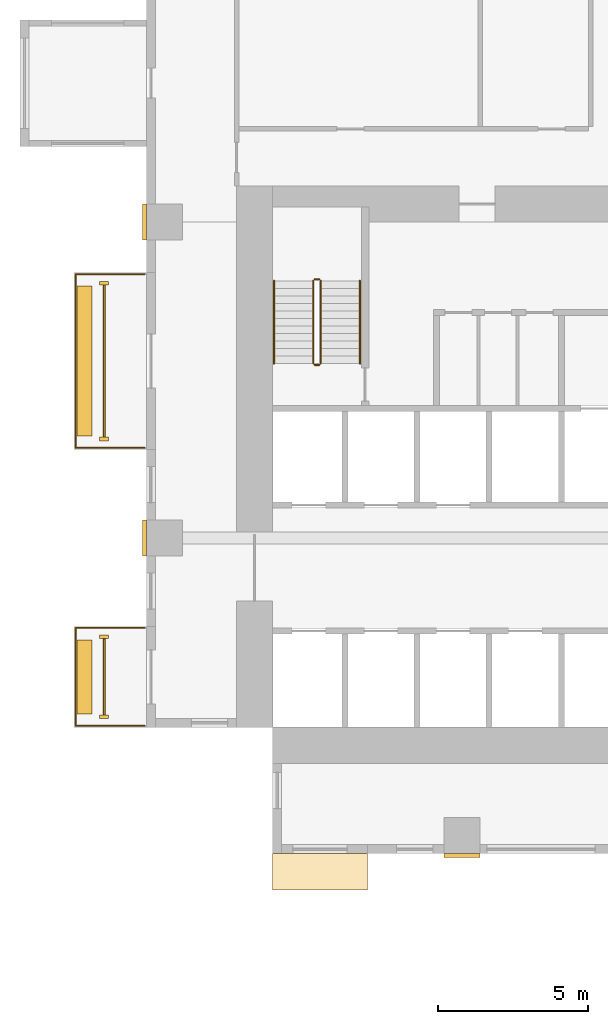
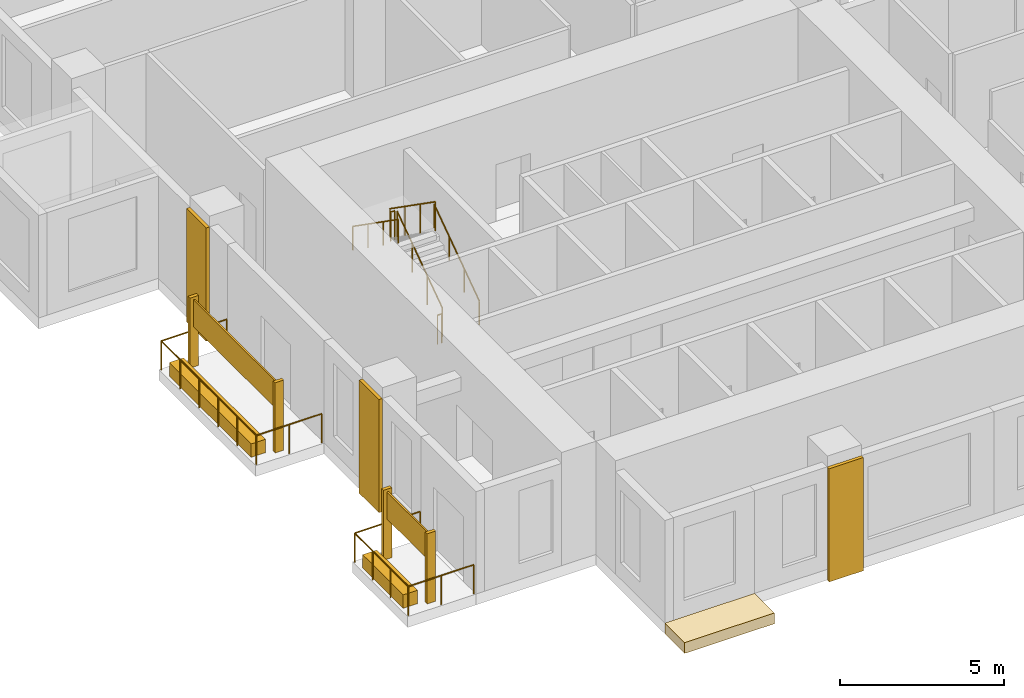
# One storey, part 11 of 15: 12 coverings, 8 railings.
"""IFC4 building model written with IfcOpenShell, lengths in metres."""

from ifc_helpers import new_model, si_unit, direction, frame, origin, origin_2d, place, context, subcontext, project, spatial, polyline, rectangle, circle, outline, extrude, source, transform, mapped, material, type_object, element, save


model = new_model("IFC4")

# Units and contexts
model_context = context("Model", 3, precision=1e-05, world=origin(), true_north=direction((0.0, 1.0)))
body_context = subcontext(model_context, "Body", "Model", "MODEL_VIEW")
ifc_project = project(units=[si_unit("LENGTHUNIT", "METRE"), si_unit("AREAUNIT", "SQUARE_METRE"), si_unit("VOLUMEUNIT", "CUBIC_METRE"), si_unit("PLANEANGLEUNIT", "RADIAN"), si_unit("MASSUNIT", "GRAM", prefix="KILO")], contexts=[model_context])

# Site, building, storey
site_placement = place(None, origin())
site = spatial("IfcSite", under=ifc_project, at=site_placement, CompositionType="ELEMENT")
building_placement = place(site_placement, origin())
building = spatial("IfcBuilding", under=site, at=building_placement, Name="Aurelian Terraces", CompositionType="ELEMENT")
storey_placement = place(building_placement, frame((0.0, 0.0, 61.5)))
storey = spatial("IfcBuildingStorey", under=building, at=storey_placement, Name="L12", CompositionType="ELEMENT", Elevation=61.5)

# Coverings
ifc_material_1 = material(Name="Terracotta roof tiles on membrane", Category="masonry")
covering_type_1 = type_object("IfcCoveringType", Name="Bay roof cover", PredefinedType="ROOFING", material=ifc_material_1)
covering_1_placement = place(storey_placement, frame((0.0, 0.0, -0.4)))
element("IfcCovering", 1, at=covering_1_placement, inside=storey, type_object=covering_type_1, Name="Bay roof L12 4.20_-1.20_7.35_0.00", PredefinedType="ROOFING", context=body_context, shape_type="SweptSolid", body=[
    extrude(outline(polyline([(7.35, 0.0), (7.35, -1.2), (4.2, -1.2), (4.2, 0.0), (7.35, 0.0)])), origin(), (0.0, 0.0, 1.0), 0.4),
])
ifc_material_2 = material(Name="Terracotta rainscreen cladding relief", Category="masonry")
covering_type_2 = type_object("IfcCoveringType", Name="FIN-TC", PredefinedType="CLADDING", material=ifc_material_2)
shared_shape_1 = source(origin(), body_context, "Body", "SweptSolid", [
    extrude(rectangle(XDim=0.3, YDim=0.12, at=origin_2d()), origin(), (0.0, 0.0, 1.0), 2.6),
])
for number, where, z_axis, x_axis, name in (
    (2, (-1.4, 18.97, 0.0), (0.0, 0.0, 1.0), (1.0, 0.0, 0.0), "FIN L12 L12-F14-39.1"),
    (3, (-1.4, 13.79, 0.0), (0.0, 0.0, 1.0), (1.0, 0.0, 0.0), "FIN L12 L12-F14-39.2"),
    (4, (-1.4, 7.21, 0.0), (0.0, 0.0, 1.0), (1.0, 0.0, 0.0), "FIN L12 L12-F14-41.1"),
    (5, (-1.4, 4.55, 0.0), (0.0, 0.0, 1.0), (1.0, 0.0, 0.0), "FIN L12 L12-F14-41.2"),
):
    element("IfcCovering", number, at=place(storey_placement, frame(where, z_axis=z_axis, x_axis=x_axis)), inside=storey, type_object=covering_type_2, Name=name, PredefinedType="CLADDING", context=body_context, shape_type="MappedRepresentation", body=[
        mapped(shared_shape_1, transform((0.0, 0.0, 0.0), scale=1.0)),
    ])
covering_type_3 = type_object("IfcCoveringType", Name="BAGUETTE-TC", PredefinedType="CLADDING", material=ifc_material_2)
shared_shape_2 = source(origin(), body_context, "Body", "SweptSolid", [
    extrude(rectangle(XDim=1.2, YDim=0.12, at=origin_2d()), origin(), (0.0, 0.0, 1.0), 4.2),
])
covering_2_placement = place(storey_placement, frame((10.5, -0.06, -0.4), z_axis=(0.0, 0.0, 1.0), x_axis=(1.0, 0.0, 0.0)))
element("IfcCovering", 6, at=covering_2_placement, inside=storey, type_object=covering_type_3, Name="BAGUETTE pier L12 1", PredefinedType="CLADDING", context=body_context, shape_type="MappedRepresentation", body=[
    mapped(shared_shape_2, transform((0.0, 0.0, 0.0), scale=1.0)),
])
shared_shape_3 = source(origin(), body_context, "Body", "SweptSolid", [
    extrude(rectangle(XDim=0.12, YDim=1.2, at=origin_2d()), origin(), (0.0, 0.0, 1.0), 4.2),
])
for number, where, z_axis, x_axis, name in (
    (7, (-0.06, 10.5, -0.4), (0.0, 0.0, 1.0), (1.0, 0.0, 0.0), "BAGUETTE pier L12 5"),
    (8, (-0.06, 21.0, -0.4), (0.0, 0.0, 1.0), (1.0, 0.0, 0.0), "BAGUETTE pier L12 9"),
):
    element("IfcCovering", number, at=place(storey_placement, frame(where, z_axis=z_axis, x_axis=x_axis)), inside=storey, type_object=covering_type_3, Name=name, PredefinedType="CLADDING", context=body_context, shape_type="MappedRepresentation", body=[
        mapped(shared_shape_3, transform((0.0, 0.0, 0.0), scale=1.0)),
    ])

# Railing
ifc_material_3 = material(Name="Anodised aluminium", Category="aluminium")
railing_type_1 = type_object("IfcRailingType", Name="GUARD-1100", PredefinedType="GUARDRAIL", material=ifc_material_3)
shared_shape_4 = source(origin(), body_context, "Body", "SweptSolid", [
    extrude(circle(Radius=0.024, at=origin_2d()), frame((0.0, 0.0, 1.076), z_axis=(-1.0, 0.0, 0.0), x_axis=(0.0, -1.0, 0.0)), (0.0, 0.0, 1.0), 2.3),
    extrude(circle(Radius=0.024, at=origin_2d()), frame((-2.3, 0.0, 1.076), z_axis=(0.0, -1.0, 0.0), x_axis=(1.0, 0.0, 0.0)), (0.0, 0.0, 1.0), 5.78),
    extrude(circle(Radius=0.024, at=origin_2d()), frame((-2.3, -5.78, 1.076), z_axis=(1.0, 0.0, 0.0), x_axis=(0.0, 1.0, 0.0)), (0.0, 0.0, 1.0), 2.3),
    extrude(circle(Radius=0.021, at=origin_2d()), origin(), (0.0, 0.0, 1.0), 1.052),
    extrude(circle(Radius=0.021, at=origin_2d()), frame((-1.15, 0.0, 0.0)), (0.0, 0.0, 1.0), 1.052),
    extrude(circle(Radius=0.021, at=origin_2d()), frame((-2.3, 0.0, 0.0)), (0.0, 0.0, 1.0), 1.052),
    extrude(circle(Radius=0.021, at=origin_2d()), frame((-2.3, -1.156, 0.0)), (0.0, 0.0, 1.0), 1.052),
    extrude(circle(Radius=0.021, at=origin_2d()), frame((-2.3, -2.312, 0.0)), (0.0, 0.0, 1.0), 1.052),
    extrude(circle(Radius=0.021, at=origin_2d()), frame((-2.3, -3.468, 0.0)), (0.0, 0.0, 1.0), 1.052),
    extrude(circle(Radius=0.021, at=origin_2d()), frame((-2.3, -4.624, 0.0)), (0.0, 0.0, 1.0), 1.052),
    extrude(circle(Radius=0.021, at=origin_2d()), frame((-2.3, -5.78, 0.0)), (0.0, 0.0, 1.0), 1.052),
    extrude(circle(Radius=0.021, at=origin_2d()), frame((-1.15, -5.78, 0.0)), (0.0, 0.0, 1.0), 1.052),
    extrude(circle(Radius=0.021, at=origin_2d()), frame((0.0, -5.78, 0.0)), (0.0, 0.0, 1.0), 1.052),
])
railing_1_placement = place(storey_placement, frame((-0.05, 19.27, 0.0)))
element("IfcRailing", 9, at=railing_1_placement, inside=storey, type_object=railing_type_1, Name="Balcony guard L12 F14.39", PredefinedType="GUARDRAIL", context=body_context, shape_type="MappedRepresentation", body=[
    mapped(shared_shape_4, transform((0.0, 0.0, 0.0), scale=1.0)),
])

# Coverings
ifc_material_4 = material(Name="Terracotta planter with planting soil", Category="masonry")
covering_type_4 = type_object("IfcCoveringType", Name="PLANTER-TROUGH", PredefinedType="USERDEFINED", material=ifc_material_4)
shared_shape_5 = source(origin(), body_context, "Body", "SweptSolid", [
    extrude(rectangle(XDim=0.5, YDim=4.98, at=origin_2d()), origin(), (0.0, 0.0, 1.0), 0.5),
])
covering_3_placement = place(storey_placement, frame((-2.05, 16.38, 0.0), z_axis=(0.0, 0.0, 1.0), x_axis=(1.0, 0.0, 0.0)))
element("IfcCovering", 10, at=covering_3_placement, inside=storey, type_object=covering_type_4, Name="PLANTER L12 L12-F14-39", ObjectType="PLANTER", PredefinedType="USERDEFINED", context=body_context, shape_type="MappedRepresentation", body=[
    mapped(shared_shape_5, transform((0.0, 0.0, 0.0), scale=1.0)),
])
ifc_material_5 = material(Name="Terracotta rainscreen cladding", Category="masonry")
covering_type_5 = type_object("IfcCoveringType", Name="SCREEN-TC", PredefinedType="CLADDING", material=ifc_material_5)
shared_shape_6 = source(origin(), body_context, "Body", "SweptSolid", [
    extrude(rectangle(XDim=0.06, YDim=5.06, at=origin_2d()), origin(), (0.0, 0.0, 1.0), 1.0),
])
covering_4_placement = place(storey_placement, frame((-1.4, 16.38, 1.5), z_axis=(0.0, 0.0, 1.0), x_axis=(1.0, 0.0, 0.0)))
element("IfcCovering", 11, at=covering_4_placement, inside=storey, type_object=covering_type_5, Name="SCREEN L12 L12-F14-39", PredefinedType="CLADDING", context=body_context, shape_type="MappedRepresentation", body=[
    mapped(shared_shape_6, transform((0.0, 0.0, 0.0), scale=1.0)),
])

# Railing
shared_shape_7 = source(origin(), body_context, "Body", "SweptSolid", [
    extrude(circle(Radius=0.024, at=origin_2d()), frame((0.0, 0.0, 1.076), z_axis=(-1.0, 0.0, 0.0), x_axis=(0.0, -1.0, 0.0)), (0.0, 0.0, 1.0), 2.3),
    extrude(circle(Radius=0.024, at=origin_2d()), frame((-2.3, 0.0, 1.076), z_axis=(0.0, -1.0, 0.0), x_axis=(1.0, 0.0, 0.0)), (0.0, 0.0, 1.0), 3.26),
    extrude(circle(Radius=0.024, at=origin_2d()), frame((-2.3, -3.26, 1.076), z_axis=(1.0, 0.0, 0.0), x_axis=(0.0, 1.0, 0.0)), (0.0, 0.0, 1.0), 2.3),
    extrude(circle(Radius=0.021, at=origin_2d()), origin(), (0.0, 0.0, 1.0), 1.052),
    extrude(circle(Radius=0.021, at=origin_2d()), frame((-1.15, 0.0, 0.0)), (0.0, 0.0, 1.0), 1.052),
    extrude(circle(Radius=0.021, at=origin_2d()), frame((-2.3, 0.0, 0.0)), (0.0, 0.0, 1.0), 1.052),
    extrude(circle(Radius=0.021, at=origin_2d()), frame((-2.3, -1.0867, 0.0)), (0.0, 0.0, 1.0), 1.052),
    extrude(circle(Radius=0.021, at=origin_2d()), frame((-2.3, -2.1733, 0.0)), (0.0, 0.0, 1.0), 1.052),
    extrude(circle(Radius=0.021, at=origin_2d()), frame((-2.3, -3.26, 0.0)), (0.0, 0.0, 1.0), 1.052),
    extrude(circle(Radius=0.021, at=origin_2d()), frame((-1.15, -3.26, 0.0)), (0.0, 0.0, 1.0), 1.052),
    extrude(circle(Radius=0.021, at=origin_2d()), frame((0.0, -3.26, 0.0)), (0.0, 0.0, 1.0), 1.052),
])
railing_2_placement = place(storey_placement, frame((-0.05, 7.51, 0.0)))
element("IfcRailing", 12, at=railing_2_placement, inside=storey, type_object=railing_type_1, Name="Balcony guard L12 F14.41", PredefinedType="GUARDRAIL", context=body_context, shape_type="MappedRepresentation", body=[
    mapped(shared_shape_7, transform((0.0, 0.0, 0.0), scale=1.0)),
])

# Coverings
shared_shape_8 = source(origin(), body_context, "Body", "SweptSolid", [
    extrude(rectangle(XDim=0.5, YDim=2.46, at=origin_2d()), origin(), (0.0, 0.0, 1.0), 0.5),
])
covering_5_placement = place(storey_placement, frame((-2.05, 5.88, 0.0), z_axis=(0.0, 0.0, 1.0), x_axis=(1.0, 0.0, 0.0)))
element("IfcCovering", 13, at=covering_5_placement, inside=storey, type_object=covering_type_4, Name="PLANTER L12 L12-F14-41", ObjectType="PLANTER", PredefinedType="USERDEFINED", context=body_context, shape_type="MappedRepresentation", body=[
    mapped(shared_shape_8, transform((0.0, 0.0, 0.0), scale=1.0)),
])
shared_shape_9 = source(origin(), body_context, "Body", "SweptSolid", [
    extrude(rectangle(XDim=0.06, YDim=2.54, at=origin_2d()), origin(), (0.0, 0.0, 1.0), 1.0),
])
covering_6_placement = place(storey_placement, frame((-1.4, 5.88, 1.5), z_axis=(0.0, 0.0, 1.0), x_axis=(1.0, 0.0, 0.0)))
element("IfcCovering", 14, at=covering_6_placement, inside=storey, type_object=covering_type_5, Name="SCREEN L12 L12-F14-41", PredefinedType="CLADDING", context=body_context, shape_type="MappedRepresentation", body=[
    mapped(shared_shape_9, transform((0.0, 0.0, 0.0), scale=1.0)),
])

# Railings
ifc_material_6 = material(Name="Stainless steel", Category="steel")
railing_type_2 = type_object("IfcRailingType", Name="Stair guard 1100", PredefinedType="GUARDRAIL", material=ifc_material_6)
shared_shape_10 = source(origin(), body_context, "Body", "SweptSolid", [
    extrude(circle(Radius=0.024, at=origin_2d()), frame((0.0, 0.0, 1.076), z_axis=(-1.0, 0.0, 0.0), x_axis=(0.0, -1.0, 0.0)), (0.0, 0.0, 1.0), 0.15),
    extrude(circle(Radius=0.021, at=origin_2d()), origin(), (0.0, 0.0, 1.0), 1.052),
    extrude(circle(Radius=0.021, at=origin_2d()), frame((-0.15, 0.0, 0.0)), (0.0, 0.0, 1.0), 1.052),
])
for number, where, name in (
    (15, (5.75, 19.1, 2.1), "L12 S1 stair guard 2"),
    (16, (5.75, 16.25, 0.0), "L12 S1 stair guard 4"),
):
    element("IfcRailing", number, at=place(storey_placement, frame(where)), inside=storey, type_object=railing_type_2, Name=name, PredefinedType="GUARDRAIL", context=body_context, shape_type="MappedRepresentation", body=[
        mapped(shared_shape_10, transform((0.0, 0.0, 0.0), scale=1.0)),
    ])
shared_shape_11 = source(origin(), body_context, "Body", "SweptSolid", [
    extrude(circle(Radius=0.024, at=origin_2d()), frame((0.0, 0.0, 1.076), z_axis=(0.0, 0.819231920519, 0.573462344363), x_axis=(-1.0, 0.0, 0.0)), (0.0, 0.0, 1.0), 3.3568),
    extrude(circle(Radius=0.021, at=origin_2d()), origin(), (0.0, 0.0, 1.0), 1.052),
    extrude(circle(Radius=0.021, at=origin_2d()), frame((0.0, 0.9167, 0.6417)), (0.0, 0.0, 1.0), 1.052),
    extrude(circle(Radius=0.021, at=origin_2d()), frame((0.0, 1.8333, 1.2833)), (0.0, 0.0, 1.0), 1.052),
    extrude(circle(Radius=0.021, at=origin_2d()), frame((0.0, 2.75, 1.925)), (0.0, 0.0, 1.0), 1.052),
])
railing_3_placement = place(storey_placement, frame((5.8, 16.3, 0.175)))
element("IfcRailing", 17, at=railing_3_placement, inside=storey, type_object=railing_type_2, Name="L12 S1 stair guard 1", PredefinedType="GUARDRAIL", context=body_context, shape_type="MappedRepresentation", body=[
    mapped(shared_shape_11, transform((0.0, 0.0, 0.0), scale=1.0)),
])
shared_shape_12 = source(origin(), body_context, "Body", "SweptSolid", [
    extrude(circle(Radius=0.024, at=origin_2d()), frame((0.0, 0.0, 1.076), z_axis=(0.0, -0.819231920519, 0.573462344363), x_axis=(1.0, 0.0, 0.0)), (0.0, 0.0, 1.0), 3.3568),
    extrude(circle(Radius=0.021, at=origin_2d()), origin(), (0.0, 0.0, 1.0), 1.052),
    extrude(circle(Radius=0.021, at=origin_2d()), frame((0.0, -0.9167, 0.6417)), (0.0, 0.0, 1.0), 1.052),
    extrude(circle(Radius=0.021, at=origin_2d()), frame((0.0, -1.8333, 1.2833)), (0.0, 0.0, 1.0), 1.052),
    extrude(circle(Radius=0.021, at=origin_2d()), frame((0.0, -2.75, 1.925)), (0.0, 0.0, 1.0), 1.052),
])
railing_4_placement = place(storey_placement, frame((5.55, 19.05, 2.275)))
element("IfcRailing", 18, at=railing_4_placement, inside=storey, type_object=railing_type_2, Name="L12 S1 stair guard 3", PredefinedType="GUARDRAIL", context=body_context, shape_type="MappedRepresentation", body=[
    mapped(shared_shape_12, transform((0.0, 0.0, 0.0), scale=1.0)),
])
railing_type_3 = type_object("IfcRailingType", Name="Stair handrail", PredefinedType="HANDRAIL", material=ifc_material_6)
shared_shape_13 = source(origin(), body_context, "Body", "SweptSolid", [
    extrude(circle(Radius=0.024, at=origin_2d()), frame((0.0, 0.0, 0.876), z_axis=(0.0, 0.819231920519, 0.573462344363), x_axis=(-1.0, 0.0, 0.0)), (0.0, 0.0, 1.0), 3.3568),
    extrude(circle(Radius=0.021, at=origin_2d()), origin(), (0.0, 0.0, 1.0), 0.852),
    extrude(circle(Radius=0.021, at=origin_2d()), frame((0.0, 0.9167, 0.6417)), (0.0, 0.0, 1.0), 0.852),
    extrude(circle(Radius=0.021, at=origin_2d()), frame((0.0, 1.8333, 1.2833)), (0.0, 0.0, 1.0), 0.852),
    extrude(circle(Radius=0.021, at=origin_2d()), frame((0.0, 2.75, 1.925)), (0.0, 0.0, 1.0), 0.852),
])
railing_5_placement = place(storey_placement, frame((7.1, 16.3, 0.175)))
element("IfcRailing", 19, at=railing_5_placement, inside=storey, type_object=railing_type_3, Name="L12 S1 stair handrail 1", PredefinedType="HANDRAIL", context=body_context, shape_type="MappedRepresentation", body=[
    mapped(shared_shape_13, transform((0.0, 0.0, 0.0), scale=1.0)),
])
shared_shape_14 = source(origin(), body_context, "Body", "SweptSolid", [
    extrude(circle(Radius=0.024, at=origin_2d()), frame((0.0, 0.0, 0.876), z_axis=(0.0, -0.819231920519, 0.573462344363), x_axis=(1.0, 0.0, 0.0)), (0.0, 0.0, 1.0), 3.3568),
    extrude(circle(Radius=0.021, at=origin_2d()), origin(), (0.0, 0.0, 1.0), 0.852),
    extrude(circle(Radius=0.021, at=origin_2d()), frame((0.0, -0.9167, 0.6417)), (0.0, 0.0, 1.0), 0.852),
    extrude(circle(Radius=0.021, at=origin_2d()), frame((0.0, -1.8333, 1.2833)), (0.0, 0.0, 1.0), 0.852),
    extrude(circle(Radius=0.021, at=origin_2d()), frame((0.0, -2.75, 1.925)), (0.0, 0.0, 1.0), 0.852),
])
railing_6_placement = place(storey_placement, frame((4.25, 19.05, 2.275)))
element("IfcRailing", 20, at=railing_6_placement, inside=storey, type_object=railing_type_3, Name="L12 S1 stair handrail 2", PredefinedType="HANDRAIL", context=body_context, shape_type="MappedRepresentation", body=[
    mapped(shared_shape_14, transform((0.0, 0.0, 0.0), scale=1.0)),
])

save(model, "model.ifc")
